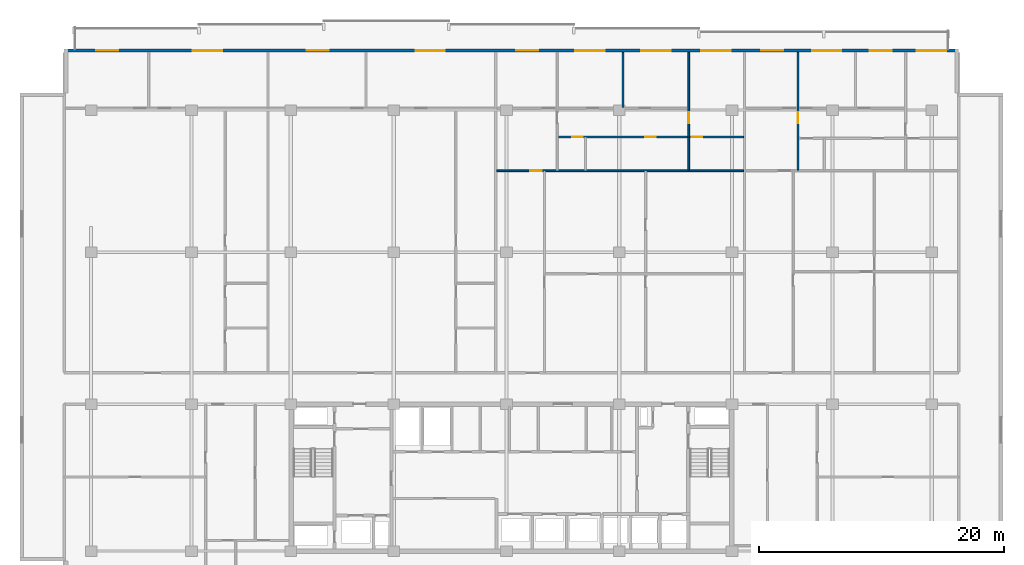
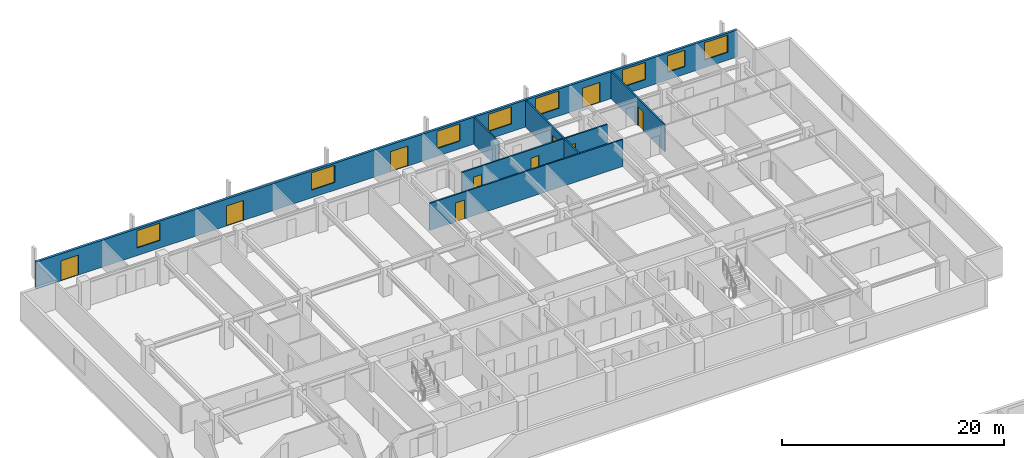
# One storey, part 15 of 22: 10 doors, 8 windows, 7 walls, 18 openings.
"""IFC4 building model written with IfcOpenShell, lengths in metres."""

import ifcopenshell
import ifcopenshell.guid

model = None  # the IFC model being written
_history = None  # IfcOwnerHistory: only IFC2X3 demands one
_inside = {}  # id of a spatial element -> (the spatial element, [elements in it])
_under = {}  # id of a project, library or spatial element -> (it, [spatial elements below it])
_declared = {}  # id of a project -> (the project, [libraries it declares])
_typed = {}  # id of a type object -> (the type object, [elements of that type])
_made_of = {}  # id of a material, layer set ... -> (it, [elements and type objects made of it])


def new_model(schema):
    """Start an empty IFC model of exactly this schema.

    Asked for "IFC4X3", IfcOpenShell would pick the latest addendum, in which some entities
    have other attributes; the version numbers below select the first issue.
    IFC2X3 requires an IfcOwnerHistory on every rooted entity: one is made here for all.
    """
    global model, _history
    if schema == "IFC4X3":
        model = ifcopenshell.file(schema_version=(4, 3, 0, 0))
    else:
        model = ifcopenshell.file(schema=schema)
    _inside.clear()
    _under.clear()
    _declared.clear()
    _typed.clear()
    _made_of.clear()
    _history = None
    if model.schema == "IFC2X3":
        org = make("IfcOrganization", Name="unknown")
        user = make(
            "IfcPersonAndOrganization",
            ThePerson=make("IfcPerson", FamilyName="unknown"),
            TheOrganization=org,
        )
        app = make(
            "IfcApplication",
            ApplicationDeveloper=org,
            Version="unknown",
            ApplicationFullName="unknown",
            ApplicationIdentifier="unknown",
        )
        _history = make(
            "IfcOwnerHistory",
            OwningUser=user,
            OwningApplication=app,
            ChangeAction="ADDED",
            CreationDate=0,
        )
    return model


def make(cls, **values):
    """One entity of the class cls with the attributes given. An attribute that is None is left unset."""
    return model.create_entity(
        cls, **{name: value for name, value in values.items() if value is not None}
    )


def rooted(cls, **values):
    """An entity with a GlobalId (a new one), such as an element, a storey or a relation."""
    return make(cls, GlobalId=ifcopenshell.guid.new(), OwnerHistory=_history, **values)


def si_unit(unit_type, name, prefix=None):
    """IfcSIUnit, for example si_unit("LENGTHUNIT", "METRE", prefix="MILLI")."""
    return make("IfcSIUnit", UnitType=unit_type, Prefix=prefix, Name=name)


def assignment(units):
    """IfcUnitAssignment: the units of a project."""
    return None if units is None else make("IfcUnitAssignment", Units=units)


def point(xyz):
    """IfcCartesianPoint."""
    return None if xyz is None else make("IfcCartesianPoint", Coordinates=xyz)


def direction(xyz):
    """IfcDirection."""
    return None if xyz is None else make("IfcDirection", DirectionRatios=xyz)


def frame(location, z_axis=None, x_axis=None):
    """IfcAxis2Placement3D, a coordinate frame: its origin and axes. An axis left out is left unset."""
    return make(
        "IfcAxis2Placement3D",
        Location=point(location),
        Axis=direction(z_axis),
        RefDirection=direction(x_axis),
    )


def frame_2d(location, x_axis=None):
    """IfcAxis2Placement2D, a coordinate frame in the plane: its origin and x axis."""
    return make(
        "IfcAxis2Placement2D", Location=point(location), RefDirection=direction(x_axis)
    )


def origin():
    """The frame at (0, 0, 0) with its axes left unset."""
    return frame((0.0, 0.0, 0.0))


def place(relative_to, where):
    """IfcLocalPlacement: puts the frame where relative to a parent placement (None: the world)."""
    return make(
        "IfcLocalPlacement", PlacementRelTo=relative_to, RelativePlacement=where
    )


def context(
    kind, dimensions, precision=None, world=None, true_north=None, identifier=None
):
    """IfcGeometricRepresentationContext, for example the 3D "Model" context."""
    return make(
        "IfcGeometricRepresentationContext",
        ContextIdentifier=identifier,
        ContextType=kind,
        CoordinateSpaceDimension=dimensions,
        Precision=precision,
        WorldCoordinateSystem=world,
        TrueNorth=true_north,
    )


def subcontext(parent, identifier, kind, view, scale=None):
    """IfcGeometricRepresentationSubContext, for example "Body" below "Model"."""
    return make(
        "IfcGeometricRepresentationSubContext",
        ContextIdentifier=identifier,
        ContextType=kind,
        ParentContext=parent,
        TargetScale=scale,
        TargetView=view,
    )


def project(units=None, contexts=None):
    """IfcProject with its units and contexts."""
    return rooted(
        "IfcProject",
        Name="project",
        RepresentationContexts=contexts,
        UnitsInContext=assignment(units),
    )


def spatial(cls, under=None, at=None, **own):
    """A site, building, storey or space (cls), placed at a placement, below another one or the project."""
    s = rooted(cls, ObjectPlacement=at, **own)
    if under is not None:
        _under.setdefault(under.id(), (under, []))[1].append(s)
    return s


def profile(cls, at=None, kind="AREA", **sizes):
    """A parametric profile (cls). Its sizes go by their IFC names, for example OverallWidth=200.0."""
    return make(cls, ProfileType=kind, Position=at, **sizes)


def rectangle(**sizes):
    """IfcRectangleProfileDef."""
    return profile("IfcRectangleProfileDef", **sizes)


def extrude(swept, where, along, depth):
    """IfcExtrudedAreaSolid: the profile swept, set in the frame where, extruded along a direction by depth."""
    return make(
        "IfcExtrudedAreaSolid",
        SweptArea=swept,
        Position=where,
        ExtrudedDirection=direction(along),
        Depth=depth,
    )


def shape(context_of_items, identifier, shape_type, items):
    """IfcShapeRepresentation: the items that make up one representation, for example the "Body"."""
    return make(
        "IfcShapeRepresentation",
        ContextOfItems=context_of_items,
        RepresentationIdentifier=identifier,
        RepresentationType=shape_type,
        Items=items,
    )


def material(Name=None, Category=None):
    """IfcMaterial."""
    return make("IfcMaterial", Name=Name, Category=Category)


def layer(
    of_material, thickness, ventilated=None, Name=None, Category=None, Priority=None
):
    """IfcMaterialLayer: one layer of a wall or slab, of a material (None: an air gap)."""
    return make(
        "IfcMaterialLayer",
        Material=of_material,
        LayerThickness=thickness,
        IsVentilated=ventilated,
        Name=Name,
        Category=Category,
        Priority=Priority,
    )


def layer_set(layers, Name=None):
    """IfcMaterialLayerSet."""
    return make("IfcMaterialLayerSet", MaterialLayers=layers, LayerSetName=Name)


def made_of(thing, what):
    """Note that an element or type object is made of a material, layer set ...; save() writes the relation."""
    if what is not None:
        _made_of.setdefault(what.id(), (what, []))[1].append(thing)
    return thing


def type_object(cls, material=None, **own):
    """A type object (cls), such as IfcWallType, which elements share."""
    return made_of(rooted(cls, **own), material)


def element(
    cls,
    number,
    at=None,
    inside=None,
    cuts=None,
    type_object=None,
    material=None,
    context=None,
    identifier="Body",
    shape_type=None,
    held_by="IfcProductDefinitionShape",
    body=None,
    shapes=None,
    **own,
):
    """One element of the class cls, such as IfcWall. Its Tag is "e" and its number.

    at: its placement. inside: the storey or other place that contains it. cuts: it is an
    opening in that element (IfcRelVoidsElement). A single representation is given by context,
    identifier, shape_type and body (its items); several are given by shapes. held_by: the class
    of the entity that holds the representations. save() writes the other relations.
    """
    e = rooted(cls, Tag="e%d" % number, ObjectPlacement=at, **own)
    if body is not None:
        shapes = [shape(context, identifier, shape_type, body)]
    if shapes is not None:
        e.Representation = make(held_by, Representations=shapes)
    if inside is not None:
        _inside.setdefault(inside.id(), (inside, []))[1].append(e)
    if cuts is not None:
        rooted(
            "IfcRelVoidsElement", RelatingBuildingElement=cuts, RelatedOpeningElement=e
        )
    if type_object is not None:
        _typed.setdefault(type_object.id(), (type_object, []))[1].append(e)
    return made_of(e, material)


def fill(opening, filler):
    """IfcRelFillsElement: the door or window that sits in an opening."""
    return rooted(
        "IfcRelFillsElement",
        RelatingOpeningElement=opening,
        RelatedBuildingElement=filler,
    )


def aggregate(whole, parts):
    """IfcRelAggregates: a whole, such as a stair, and the parts it consists of."""
    return rooted("IfcRelAggregates", RelatingObject=whole, RelatedObjects=parts)


def save(model, path):
    """Write the relations noted so far, then the file.

    IfcRelAggregates (storeys below a building ...), IfcRelContainedInSpatialStructure (elements
    in a storey), IfcRelDefinesByType, IfcRelAssociatesMaterial and IfcRelDeclares: one each for
    every whole, place, type object, material and project.
    """
    for whole, parts in _under.values():
        aggregate(whole, parts)
    for where, things in _inside.values():
        rooted(
            "IfcRelContainedInSpatialStructure",
            RelatedElements=things,
            RelatingStructure=where,
        )
    for kind, things in _typed.values():
        rooted("IfcRelDefinesByType", RelatedObjects=things, RelatingType=kind)
    for what, things in _made_of.values():
        rooted("IfcRelAssociatesMaterial", RelatedObjects=things, RelatingMaterial=what)
    for by, libraries in _declared.values():
        rooted("IfcRelDeclares", RelatingContext=by, RelatedDefinitions=libraries)
    model.write(path)


model = new_model("IFC4")

# Units and contexts
model_context = context("Model", 3, precision=1e-05, world=origin(), true_north=direction((0.0, 1.0)))
body_context = subcontext(model_context, "Body", "Model", "MODEL_VIEW")
ifc_project = project(units=[si_unit("LENGTHUNIT", "METRE"), si_unit("AREAUNIT", "SQUARE_METRE"), si_unit("VOLUMEUNIT", "CUBIC_METRE"), si_unit("PLANEANGLEUNIT", "RADIAN"), si_unit("MASSUNIT", "GRAM", prefix="KILO")], contexts=[model_context])

# Site, building, storey
site_placement = place(None, origin())
site = spatial("IfcSite", under=ifc_project, at=site_placement, CompositionType="ELEMENT")
building_placement = place(site_placement, origin())
building = spatial("IfcBuilding", under=site, at=building_placement, Name="Korimba Cascade Residences", CompositionType="ELEMENT")
storey_placement = place(building_placement, frame((0.0, 0.0, 129.550048828125)))
storey = spatial("IfcBuildingStorey", under=building, at=storey_placement, Name="L37", CompositionType="ELEMENT", Elevation=129.550048828125)

# Wall, openings, doors, windows
ifc_material_1 = material(Name="Precast concrete C40/50", Category="concrete")
ifc_layer_1 = layer(ifc_material_1, 0.25)
ifc_layer_set_1 = layer_set([ifc_layer_1], Name="Precast concrete C40/50")
wall_type_1 = type_object("IfcWallType", Name="EW-LOG-250", PredefinedType="STANDARD", material=ifc_layer_set_1)
wall_1_placement = place(storey_placement, frame((130.60009765625, 96.050048828125, 0.0), z_axis=(0.0, 0.0, 1.0), x_axis=(-1.0, 0.0, 0.0)))
wall_1 = element("IfcWall", 1, at=wall_1_placement, inside=storey, type_object=wall_type_1, Name="L37 T1 Perimeter Stone Wall E06", PredefinedType="STANDARD", context=body_context, shape_type="SweptSolid", body=[
    extrude(rectangle(XDim=73.0, YDim=0.25, at=frame_2d((36.5, 0.0))), origin(), (0.0, 0.0, 1.0), 2.969970703125),
])
opening_1_placement = place(wall_1_placement, frame((68.5908203125, 0.0, 0.0)))
opening_1 = element("IfcOpeningElement", 2, at=opening_1_placement, cuts=wall_1, Name="Opening D-LG1", PredefinedType="OPENING", context=body_context, shape_type="SweptSolid", body=[
    extrude(rectangle(XDim=1.800048828125, YDim=2.199951171875, at=frame_2d((0.89990234375, 1.10009765625))), frame((0.0, 0.135009765625, 0.0), z_axis=(0.0, -1.0, 0.0), x_axis=(1.0, 0.0, 0.0)), (0.0, 0.0, 1.0), 0.27001953125),
])
opening_2_placement = place(wall_1_placement, frame((60.091796875, 0.0, 0.85009765625)))
opening_2 = element("IfcOpeningElement", 3, at=opening_2_placement, cuts=wall_1, Name="Opening W-01", PredefinedType="OPENING", context=body_context, shape_type="SweptSolid", body=[
    extrude(rectangle(XDim=2.39990234375, YDim=1.89990234375, at=frame_2d((1.199951171875, 0.949951171875))), frame((0.0, 0.135009765625, 0.0), z_axis=(0.0, -1.0, 0.0), x_axis=(1.0, 0.0, 0.0)), (0.0, 0.0, 1.0), 0.27001953125),
])
opening_3_placement = place(wall_1_placement, frame((51.405029296875, 0.0, 0.0)))
opening_3 = element("IfcOpeningElement", 4, at=opening_3_placement, cuts=wall_1, Name="Opening D-LG1", PredefinedType="OPENING", context=body_context, shape_type="SweptSolid", body=[
    extrude(rectangle(XDim=1.800048828125, YDim=2.199951171875, at=frame_2d((0.89990234375, 1.10009765625))), frame((0.0, 0.135009765625, 0.0), z_axis=(0.0, -1.0, 0.0), x_axis=(1.0, 0.0, 0.0)), (0.0, 0.0, 1.0), 0.27001953125),
])
opening_4_placement = place(wall_1_placement, frame((41.925048828125, 0.0, 0.85009765625)))
opening_4 = element("IfcOpeningElement", 5, at=opening_4_placement, cuts=wall_1, Name="Opening W-01", PredefinedType="OPENING", context=body_context, shape_type="SweptSolid", body=[
    extrude(rectangle(XDim=2.39990234375, YDim=1.89990234375, at=frame_2d((1.199951171875, 0.949951171875))), frame((0.0, 0.135009765625, 0.0), z_axis=(0.0, -1.0, 0.0), x_axis=(1.0, 0.0, 0.0)), (0.0, 0.0, 1.0), 0.27001953125),
])
opening_5_placement = place(wall_1_placement, frame((28.878173828125, 0.0, 0.85009765625)))
opening_5 = element("IfcOpeningElement", 6, at=opening_5_placement, cuts=wall_1, Name="Opening W-01", PredefinedType="OPENING", context=body_context, shape_type="SweptSolid", body=[
    extrude(rectangle(XDim=2.39990234375, YDim=1.89990234375, at=frame_2d((1.199951171875, 0.949951171875))), frame((0.0, 0.135009765625, 0.0), z_axis=(0.0, -1.0, 0.0), x_axis=(1.0, 0.0, 0.0)), (0.0, 0.0, 1.0), 0.27001953125),
])
opening_6_placement = place(wall_1_placement, frame((23.509521484375, 0.0, 0.85009765625)))
opening_6 = element("IfcOpeningElement", 7, at=opening_6_placement, cuts=wall_1, Name="Opening W-01", PredefinedType="OPENING", context=body_context, shape_type="SweptSolid", body=[
    extrude(rectangle(XDim=2.39990234375, YDim=1.89990234375, at=frame_2d((1.199951171875, 0.949951171875))), frame((0.0, 0.135009765625, 0.0), z_axis=(0.0, -1.0, 0.0), x_axis=(1.0, 0.0, 0.0)), (0.0, 0.0, 1.0), 0.27001953125),
])
opening_7_placement = place(wall_1_placement, frame((34.302490234375, 0.0, 0.0)))
opening_7 = element("IfcOpeningElement", 8, at=opening_7_placement, cuts=wall_1, Name="Opening D-LG1", PredefinedType="OPENING", context=body_context, shape_type="SweptSolid", body=[
    extrude(rectangle(XDim=1.800048828125, YDim=2.199951171875, at=frame_2d((0.89990234375, 1.10009765625))), frame((0.0, 0.135009765625, 0.0), z_axis=(0.0, -1.0, 0.0), x_axis=(1.0, 0.0, 0.0)), (0.0, 0.0, 1.0), 0.27001953125),
])
opening_8_placement = place(wall_1_placement, frame((18.610107421875, 0.0, 0.85009765625)))
opening_8 = element("IfcOpeningElement", 9, at=opening_8_placement, cuts=wall_1, Name="Opening W-01", PredefinedType="OPENING", context=body_context, shape_type="SweptSolid", body=[
    extrude(rectangle(XDim=2.39990234375, YDim=1.89990234375, at=frame_2d((1.199951171875, 0.949951171875))), frame((0.0, 0.135009765625, 0.0), z_axis=(0.0, -1.0, 0.0), x_axis=(1.0, 0.0, 0.0)), (0.0, 0.0, 1.0), 0.27001953125),
])
opening_9_placement = place(wall_1_placement, frame((9.5625, 0.0, 0.85009765625)))
opening_9 = element("IfcOpeningElement", 10, at=opening_9_placement, cuts=wall_1, Name="Opening W-01", PredefinedType="OPENING", context=body_context, shape_type="SweptSolid", body=[
    extrude(rectangle(XDim=2.39990234375, YDim=1.89990234375, at=frame_2d((1.199951171875, 0.949951171875))), frame((0.0, 0.135009765625, 0.0), z_axis=(0.0, -1.0, 0.0), x_axis=(1.0, 0.0, 0.0)), (0.0, 0.0, 1.0), 0.27001953125),
])
opening_10_placement = place(wall_1_placement, frame((5.47509765625, 0.0, 0.85009765625)))
opening_10 = element("IfcOpeningElement", 11, at=opening_10_placement, cuts=wall_1, Name="Opening W-02", PredefinedType="OPENING", context=body_context, shape_type="SweptSolid", body=[
    extrude(rectangle(XDim=1.800048828125, YDim=1.800048828125, at=frame_2d((0.89990234375, 0.89990234375))), frame((0.0, 0.135009765625, 0.0), z_axis=(0.0, -1.0, 0.0), x_axis=(1.0, 0.0, 0.0)), (0.0, 0.0, 1.0), 0.27001953125),
])
opening_11_placement = place(wall_1_placement, frame((14.330078125, 0.0, 0.0)))
opening_11 = element("IfcOpeningElement", 12, at=opening_11_placement, cuts=wall_1, Name="Opening D-LG1", PredefinedType="OPENING", context=body_context, shape_type="SweptSolid", body=[
    extrude(rectangle(XDim=1.800048828125, YDim=2.199951171875, at=frame_2d((0.89990234375, 1.10009765625))), frame((0.0, 0.135009765625, 0.0), z_axis=(0.0, -1.0, 0.0), x_axis=(1.0, 0.0, 0.0)), (0.0, 0.0, 1.0), 0.27001953125),
])
opening_12_placement = place(wall_1_placement, frame((1.02490234375, 0.0, 0.85009765625)))
opening_12 = element("IfcOpeningElement", 13, at=opening_12_placement, cuts=wall_1, Name="Opening W-01", PredefinedType="OPENING", context=body_context, shape_type="SweptSolid", body=[
    extrude(rectangle(XDim=2.39990234375, YDim=1.89990234375, at=frame_2d((1.199951171875, 0.949951171875))), frame((0.0, 0.135009765625, 0.0), z_axis=(0.0, -1.0, 0.0), x_axis=(1.0, 0.0, 0.0)), (0.0, 0.0, 1.0), 0.27001953125),
])
ifc_material_2 = material(Name="Glazed Aluminium Loggia Sliding Door", Category="aluminium")
door_type_1 = type_object("IfcDoorType", Name="DR-EXT-LOG", OperationType="NOTDEFINED", PredefinedType="DOOR", material=ifc_material_2)
door_1_placement = place(opening_1_placement, origin())
door_1 = element("IfcDoor", 14, at=door_1_placement, inside=storey, type_object=door_type_1, Name="L37 T1 Loggia Sliding Door 3", OperationType="SLIDING_TO_LEFT", OverallHeight=2.199951171875, OverallWidth=1.800048828125, PredefinedType="DOOR", context=body_context, shape_type="SweptSolid", body=[
    extrude(rectangle(XDim=1.800048828125, YDim=2.199951171875, at=frame_2d((0.89990234375, 1.10009765625))), frame((0.0, 0.02490234375, 0.0), z_axis=(0.0, -1.0, 0.0), x_axis=(1.0, 0.0, 0.0)), (0.0, 0.0, 1.0), 0.050048828125),
])
fill(opening_1, door_1)
door_2_placement = place(opening_3_placement, origin())
door_2 = element("IfcDoor", 15, at=door_2_placement, inside=storey, type_object=door_type_1, Name="L37 T1 Loggia Sliding Door 5", OperationType="SLIDING_TO_LEFT", OverallHeight=2.199951171875, OverallWidth=1.800048828125, PredefinedType="DOOR", context=body_context, shape_type="SweptSolid", body=[
    extrude(rectangle(XDim=1.800048828125, YDim=2.199951171875, at=frame_2d((0.89990234375, 1.10009765625))), frame((0.0, 0.02490234375, 0.0), z_axis=(0.0, -1.0, 0.0), x_axis=(1.0, 0.0, 0.0)), (0.0, 0.0, 1.0), 0.050048828125),
])
fill(opening_3, door_2)
door_3_placement = place(opening_7_placement, origin())
door_3 = element("IfcDoor", 16, at=door_3_placement, inside=storey, type_object=door_type_1, Name="L37 T1 Loggia Sliding Door 9", OperationType="SLIDING_TO_LEFT", OverallHeight=2.199951171875, OverallWidth=1.800048828125, PredefinedType="DOOR", context=body_context, shape_type="SweptSolid", body=[
    extrude(rectangle(XDim=1.800048828125, YDim=2.199951171875, at=frame_2d((0.89990234375, 1.10009765625))), frame((0.0, 0.02490234375, 0.0), z_axis=(0.0, -1.0, 0.0), x_axis=(1.0, 0.0, 0.0)), (0.0, 0.0, 1.0), 0.050048828125),
])
fill(opening_7, door_3)
door_4_placement = place(opening_11_placement, origin())
door_4 = element("IfcDoor", 17, at=door_4_placement, inside=storey, type_object=door_type_1, Name="L37 T1 Loggia Sliding Door 13", OperationType="SLIDING_TO_LEFT", OverallHeight=2.199951171875, OverallWidth=1.800048828125, PredefinedType="DOOR", context=body_context, shape_type="SweptSolid", body=[
    extrude(rectangle(XDim=1.800048828125, YDim=2.199951171875, at=frame_2d((0.89990234375, 1.10009765625))), frame((0.0, 0.02490234375, 0.0), z_axis=(0.0, -1.0, 0.0), x_axis=(1.0, 0.0, 0.0)), (0.0, 0.0, 1.0), 0.050048828125),
])
fill(opening_11, door_4)
ifc_material_3 = material(Name="Double-Glazed Aluminium Window", Category="aluminium")
window_type_1 = type_object("IfcWindowType", Name="WIN-BED-1800", PartitioningType="SINGLE_PANEL", PredefinedType="WINDOW", material=ifc_material_3)
window_1_placement = place(opening_10_placement, origin())
window_1 = element("IfcWindow", 18, at=window_1_placement, inside=storey, type_object=window_type_1, Name="L37 T1 North Facade Window 12", OverallHeight=1.800048828125, OverallWidth=1.800048828125, PartitioningType="SINGLE_PANEL", PredefinedType="WINDOW", context=body_context, shape_type="SweptSolid", body=[
    extrude(rectangle(XDim=1.800048828125, YDim=1.800048828125, at=frame_2d((0.89990234375, 0.89990234375))), frame((0.0, 0.030029296875, 0.0), z_axis=(0.0, -1.0, 0.0), x_axis=(1.0, 0.0, 0.0)), (0.0, 0.0, 1.0), 0.06005859375),
])
fill(opening_10, window_1)
window_type_2 = type_object("IfcWindowType", Name="WIN-RES-2400", PartitioningType="DOUBLE_PANEL_VERTICAL", PredefinedType="WINDOW", material=ifc_material_3)
window_2_placement = place(opening_2_placement, origin())
window_2 = element("IfcWindow", 19, at=window_2_placement, inside=storey, type_object=window_type_2, Name="L37 T1 North Facade Window 4", OverallHeight=1.89990234375, OverallWidth=2.39990234375, PartitioningType="DOUBLE_PANEL_VERTICAL", PredefinedType="WINDOW", context=body_context, shape_type="SweptSolid", body=[
    extrude(rectangle(XDim=2.39990234375, YDim=1.89990234375, at=frame_2d((1.199951171875, 0.949951171875))), frame((0.0, 0.030029296875, 0.0), z_axis=(0.0, -1.0, 0.0), x_axis=(1.0, 0.0, 0.0)), (0.0, 0.0, 1.0), 0.06005859375),
])
fill(opening_2, window_2)
window_3_placement = place(opening_4_placement, origin())
window_3 = element("IfcWindow", 20, at=window_3_placement, inside=storey, type_object=window_type_2, Name="L37 T1 North Facade Window 6", OverallHeight=1.89990234375, OverallWidth=2.39990234375, PartitioningType="DOUBLE_PANEL_VERTICAL", PredefinedType="WINDOW", context=body_context, shape_type="SweptSolid", body=[
    extrude(rectangle(XDim=2.39990234375, YDim=1.89990234375, at=frame_2d((1.199951171875, 0.949951171875))), frame((0.0, 0.030029296875, 0.0), z_axis=(0.0, -1.0, 0.0), x_axis=(1.0, 0.0, 0.0)), (0.0, 0.0, 1.0), 0.06005859375),
])
fill(opening_4, window_3)
window_4_placement = place(opening_5_placement, origin())
window_4 = element("IfcWindow", 21, at=window_4_placement, inside=storey, type_object=window_type_2, Name="L37 T1 North Facade Window 7", OverallHeight=1.89990234375, OverallWidth=2.39990234375, PartitioningType="DOUBLE_PANEL_VERTICAL", PredefinedType="WINDOW", context=body_context, shape_type="SweptSolid", body=[
    extrude(rectangle(XDim=2.39990234375, YDim=1.89990234375, at=frame_2d((1.199951171875, 0.949951171875))), frame((0.0, 0.030029296875, 0.0), z_axis=(0.0, -1.0, 0.0), x_axis=(1.0, 0.0, 0.0)), (0.0, 0.0, 1.0), 0.06005859375),
])
fill(opening_5, window_4)
window_5_placement = place(opening_6_placement, origin())
window_5 = element("IfcWindow", 22, at=window_5_placement, inside=storey, type_object=window_type_2, Name="L37 T1 North Facade Window 8", OverallHeight=1.89990234375, OverallWidth=2.39990234375, PartitioningType="DOUBLE_PANEL_VERTICAL", PredefinedType="WINDOW", context=body_context, shape_type="SweptSolid", body=[
    extrude(rectangle(XDim=2.39990234375, YDim=1.89990234375, at=frame_2d((1.199951171875, 0.949951171875))), frame((0.0, 0.030029296875, 0.0), z_axis=(0.0, -1.0, 0.0), x_axis=(1.0, 0.0, 0.0)), (0.0, 0.0, 1.0), 0.06005859375),
])
fill(opening_6, window_5)
window_6_placement = place(opening_8_placement, origin())
window_6 = element("IfcWindow", 23, at=window_6_placement, inside=storey, type_object=window_type_2, Name="L37 T1 North Facade Window 10", OverallHeight=1.89990234375, OverallWidth=2.39990234375, PartitioningType="DOUBLE_PANEL_VERTICAL", PredefinedType="WINDOW", context=body_context, shape_type="SweptSolid", body=[
    extrude(rectangle(XDim=2.39990234375, YDim=1.89990234375, at=frame_2d((1.199951171875, 0.949951171875))), frame((0.0, 0.030029296875, 0.0), z_axis=(0.0, -1.0, 0.0), x_axis=(1.0, 0.0, 0.0)), (0.0, 0.0, 1.0), 0.06005859375),
])
fill(opening_8, window_6)
window_7_placement = place(opening_9_placement, origin())
window_7 = element("IfcWindow", 24, at=window_7_placement, inside=storey, type_object=window_type_2, Name="L37 T1 North Facade Window 11", OverallHeight=1.89990234375, OverallWidth=2.39990234375, PartitioningType="DOUBLE_PANEL_VERTICAL", PredefinedType="WINDOW", context=body_context, shape_type="SweptSolid", body=[
    extrude(rectangle(XDim=2.39990234375, YDim=1.89990234375, at=frame_2d((1.199951171875, 0.949951171875))), frame((0.0, 0.030029296875, 0.0), z_axis=(0.0, -1.0, 0.0), x_axis=(1.0, 0.0, 0.0)), (0.0, 0.0, 1.0), 0.06005859375),
])
fill(opening_9, window_7)
window_8_placement = place(opening_12_placement, origin())
window_8 = element("IfcWindow", 25, at=window_8_placement, inside=storey, type_object=window_type_2, Name="L37 T1 North Facade Window 14", OverallHeight=1.89990234375, OverallWidth=2.39990234375, PartitioningType="DOUBLE_PANEL_VERTICAL", PredefinedType="WINDOW", context=body_context, shape_type="SweptSolid", body=[
    extrude(rectangle(XDim=2.39990234375, YDim=1.89990234375, at=frame_2d((1.199951171875, 0.949951171875))), frame((0.0, 0.030029296875, 0.0), z_axis=(0.0, -1.0, 0.0), x_axis=(1.0, 0.0, 0.0)), (0.0, 0.0, 1.0), 0.06005859375),
])
fill(opening_12, window_8)

# Walls
ifc_material_4 = material(Name="Insulated Acoustic Stud Partition", Category="gypsum")
ifc_layer_2 = layer(ifc_material_4, 0.14990234375)
ifc_layer_set_2 = layer_set([ifc_layer_2], Name="Insulated Acoustic Stud Partition")
wall_type_2 = type_object("IfcWallType", Name="WAL-PART-150", PredefinedType="PARTITIONING", material=ifc_layer_set_2)
wall_2_placement = place(storey_placement, frame((103.206298828125, 91.429931640625, 0.0), z_axis=(0.0, 0.0, 1.0), x_axis=(0.0, 1.0, 0.0)))
element("IfcWall", 26, at=wall_2_placement, inside=storey, type_object=wall_type_2, Name="L37 Partition Wall WAL-L37-T1-U03-VB3", PredefinedType="PARTITIONING", context=body_context, shape_type="SweptSolid", body=[
    extrude(rectangle(XDim=4.469970703125, YDim=0.14990234375, at=frame_2d((2.23486328125, 0.0))), origin(), (0.0, 0.0, 1.0), 2.969970703125),
])
wall_3_placement = place(storey_placement, frame((108.574951171875, 86.2900390625, 0.0), z_axis=(0.0, 0.0, 1.0), x_axis=(0.0, 1.0, 0.0)))
element("IfcWall", 27, at=wall_3_placement, inside=storey, type_object=wall_type_2, Name="L37 Partition Wall WAL-L37-T1-U03-VBATH", PredefinedType="PARTITIONING", context=body_context, shape_type="SweptSolid", body=[
    extrude(rectangle(XDim=2.68994140625, YDim=0.14990234375, at=frame_2d((1.344970703125, 0.0))), origin(), (0.0, 0.0, 1.0), 2.969970703125),
])

# Wall, opening, door
wall_4_placement = place(storey_placement, frame((108.574951171875, 89.02001953125, 0.0), z_axis=(0.0, 0.0, 1.0), x_axis=(0.0, 1.0, 0.0)))
wall_4 = element("IfcWall", 28, at=wall_4_placement, inside=storey, type_object=wall_type_2, Name="L37 Partition Wall WAL-L37-T1-U03-V2FULL", PredefinedType="PARTITIONING", context=body_context, shape_type="SweptSolid", body=[
    extrude(rectangle(XDim=6.8798828125, YDim=0.14990234375, at=frame_2d((3.43994140625, 0.0))), origin(), (0.0, 0.0, 1.0), 2.969970703125),
])
opening_13_placement = place(wall_4_placement, frame((1.090087890625, 0.0, 0.0)))
opening_13 = element("IfcOpeningElement", 29, at=opening_13_placement, cuts=wall_4, Name="Opening D-IN1", PredefinedType="OPENING", context=body_context, shape_type="SweptSolid", body=[
    extrude(rectangle(XDim=0.919921875, YDim=2.080078125, at=frame_2d((0.4599609375, 1.0400390625))), frame((0.0, 0.0849609375, 0.0), z_axis=(0.0, -1.0, 0.0), x_axis=(1.0, 0.0, 0.0)), (0.0, 0.0, 1.0), 0.169921875),
])
ifc_material_5 = material(Name="Acoustic Timber Living Door", Category="wood")
door_type_2 = type_object("IfcDoorType", Name="DR-INT-920", OperationType="NOTDEFINED", PredefinedType="DOOR", material=ifc_material_5)
door_5_placement = place(opening_13_placement, origin())
door_5 = element("IfcDoor", 30, at=door_5_placement, inside=storey, type_object=door_type_2, Name="L37-T1-U03 Master Bedroom Door", OperationType="SINGLE_SWING_LEFT", OverallHeight=2.080078125, OverallWidth=0.919921875, PredefinedType="DOOR", context=body_context, shape_type="SweptSolid", body=[
    extrude(rectangle(XDim=0.919921875, YDim=2.080078125, at=frame_2d((0.4599609375, 1.0400390625))), frame((0.0, 0.02490234375, 0.0), z_axis=(0.0, -1.0, 0.0), x_axis=(1.0, 0.0, 0.0)), (0.0, 0.0, 1.0), 0.050048828125),
])
fill(opening_13, door_5)

# Wall, openings, doors
wall_5_placement = place(storey_placement, frame((97.87744140625, 89.0, 0.0), z_axis=(0.0, 0.0, 1.0), x_axis=(1.0, 0.0, 0.0)))
wall_5 = element("IfcWall", 31, at=wall_5_placement, inside=storey, type_object=wall_type_2, Name="L37 Partition Wall WAL-L37-T1-U03-HWALL", PredefinedType="PARTITIONING", context=body_context, shape_type="SweptSolid", body=[
    extrude(rectangle(XDim=15.16748046875, YDim=0.14990234375, at=frame_2d((7.583740234375, 0.0))), origin(), (0.0, 0.0, 1.0), 2.969970703125),
])
opening_14_placement = place(wall_5_placement, frame((1.19091796875, 0.0, 0.0)))
opening_14 = element("IfcOpeningElement", 32, at=opening_14_placement, cuts=wall_5, Name="Opening D-BT1", PredefinedType="OPENING", context=body_context, shape_type="SweptSolid", body=[
    extrude(rectangle(XDim=0.840087890625, YDim=2.0400390625, at=frame_2d((0.419921875, 1.02001953125))), frame((0.0, 0.0849609375, 0.0), z_axis=(0.0, -1.0, 0.0), x_axis=(1.0, 0.0, 0.0)), (0.0, 0.0, 1.0), 0.169921875),
])
opening_15_placement = place(wall_5_placement, frame((7.163818359375, 0.0, 0.0)))
opening_15 = element("IfcOpeningElement", 33, at=opening_15_placement, cuts=wall_5, Name="Opening D-BT1", PredefinedType="OPENING", context=body_context, shape_type="SweptSolid", body=[
    extrude(rectangle(XDim=0.840087890625, YDim=2.0400390625, at=frame_2d((0.419921875, 1.02001953125))), frame((0.0, 0.0849609375, 0.0), z_axis=(0.0, -1.0, 0.0), x_axis=(1.0, 0.0, 0.0)), (0.0, 0.0, 1.0), 0.169921875),
])
opening_16_placement = place(wall_5_placement, frame((10.947509765625, 0.0, 0.0)))
opening_16 = element("IfcOpeningElement", 34, at=opening_16_placement, cuts=wall_5, Name="Opening D-BT1", PredefinedType="OPENING", context=body_context, shape_type="SweptSolid", body=[
    extrude(rectangle(XDim=0.840087890625, YDim=2.0400390625, at=frame_2d((0.419921875, 1.02001953125))), frame((0.0, 0.0849609375, 0.0), z_axis=(0.0, -1.0, 0.0), x_axis=(1.0, 0.0, 0.0)), (0.0, 0.0, 1.0), 0.169921875),
])
ifc_material_6 = material(Name="Moisture-Resistant Bathroom Timber Door", Category="wood")
door_type_3 = type_object("IfcDoorType", Name="DR-INT-850", OperationType="NOTDEFINED", PredefinedType="DOOR", material=ifc_material_6)
door_6_placement = place(opening_14_placement, origin())
door_6 = element("IfcDoor", 35, at=door_6_placement, inside=storey, type_object=door_type_3, Name="L37-T1-U03 Family Bathroom Door", OperationType="SINGLE_SWING_RIGHT", OverallHeight=2.0400390625, OverallWidth=0.840087890625, PredefinedType="DOOR", context=body_context, shape_type="SweptSolid", body=[
    extrude(rectangle(XDim=0.840087890625, YDim=2.0400390625, at=frame_2d((0.419921875, 1.02001953125))), frame((0.0, 0.02490234375, 0.0), z_axis=(0.0, -1.0, 0.0), x_axis=(1.0, 0.0, 0.0)), (0.0, 0.0, 1.0), 0.050048828125),
])
fill(opening_14, door_6)
door_7_placement = place(opening_15_placement, origin())
door_7 = element("IfcDoor", 36, at=door_7_placement, inside=storey, type_object=door_type_3, Name="L37-T1-U03 Dressing Room Door", OperationType="SINGLE_SWING_LEFT", OverallHeight=2.0400390625, OverallWidth=0.840087890625, PredefinedType="DOOR", context=body_context, shape_type="SweptSolid", body=[
    extrude(rectangle(XDim=0.840087890625, YDim=2.0400390625, at=frame_2d((0.419921875, 1.02001953125))), frame((0.0, 0.02490234375, 0.0), z_axis=(0.0, -1.0, 0.0), x_axis=(1.0, 0.0, 0.0)), (0.0, 0.0, 1.0), 0.050048828125),
])
fill(opening_15, door_7)
door_8_placement = place(opening_16_placement, origin())
door_8 = element("IfcDoor", 37, at=door_8_placement, inside=storey, type_object=door_type_3, Name="L37-T1-U03 En-Suite Door", OperationType="SINGLE_SWING_RIGHT", OverallHeight=2.0400390625, OverallWidth=0.840087890625, PredefinedType="DOOR", context=body_context, shape_type="SweptSolid", body=[
    extrude(rectangle(XDim=0.840087890625, YDim=2.0400390625, at=frame_2d((0.419921875, 1.02001953125))), frame((0.0, 0.02490234375, 0.0), z_axis=(0.0, -1.0, 0.0), x_axis=(1.0, 0.0, 0.0)), (0.0, 0.0, 1.0), 0.050048828125),
])
fill(opening_16, door_8)

# Wall, opening, door
wall_6_placement = place(storey_placement, frame((92.91748046875, 86.25, 0.0), z_axis=(0.0, 0.0, 1.0), x_axis=(1.0, 0.0, 0.0)))
wall_6 = element("IfcWall", 38, at=wall_6_placement, inside=storey, type_object=wall_type_2, Name="L37 Partition Wall WAL-L37-T1-U03-MW", PredefinedType="PARTITIONING", context=body_context, shape_type="SweptSolid", body=[
    extrude(rectangle(XDim=20.12744140625, YDim=0.14990234375, at=frame_2d((10.063720703125, 0.0))), origin(), (0.0, 0.0, 1.0), 2.969970703125),
])
opening_17_placement = place(wall_6_placement, frame((2.719970703125, 0.0, 0.0)))
opening_17 = element("IfcOpeningElement", 39, at=opening_17_placement, cuts=wall_6, Name="Opening D-IN1", PredefinedType="OPENING", context=body_context, shape_type="SweptSolid", body=[
    extrude(rectangle(XDim=0.919921875, YDim=2.080078125, at=frame_2d((0.4599609375, 1.0400390625))), frame((0.0, 0.0849609375, 0.0), z_axis=(0.0, -1.0, 0.0), x_axis=(1.0, 0.0, 0.0)), (0.0, 0.0, 1.0), 0.169921875),
])
door_9_placement = place(opening_17_placement, origin())
door_9 = element("IfcDoor", 40, at=door_9_placement, inside=storey, type_object=door_type_2, Name="L37-T1-U03 Kitchen Door", OperationType="SINGLE_SWING_LEFT", OverallHeight=2.080078125, OverallWidth=0.919921875, PredefinedType="DOOR", context=body_context, shape_type="SweptSolid", body=[
    extrude(rectangle(XDim=0.919921875, YDim=2.080078125, at=frame_2d((0.4599609375, 1.0400390625))), frame((0.0, 0.02490234375, 0.0), z_axis=(0.0, -1.0, 0.0), x_axis=(1.0, 0.0, 0.0)), (0.0, 0.0, 1.0), 0.050048828125),
])
fill(opening_17, door_9)

wall_7_placement = place(storey_placement, frame((117.4951171875, 86.2900390625, 0.0), z_axis=(0.0, 0.0, 1.0), x_axis=(0.0, 1.0, 0.0)))
wall_7 = element("IfcWall", 41, at=wall_7_placement, inside=storey, type_object=wall_type_2, Name="L37 Partition Wall WAL-L37-T1-U04-V1", PredefinedType="PARTITIONING", context=body_context, shape_type="SweptSolid", body=[
    extrude(rectangle(XDim=9.60986328125, YDim=0.14990234375, at=frame_2d((4.804931640625, 0.0))), origin(), (0.0, 0.0, 1.0), 2.969970703125),
])
opening_18_placement = place(wall_7_placement, frame((3.820068359375, 0.0, 0.0)))
opening_18 = element("IfcOpeningElement", 42, at=opening_18_placement, cuts=wall_7, Name="Opening D-IN1", PredefinedType="OPENING", context=body_context, shape_type="SweptSolid", body=[
    extrude(rectangle(XDim=0.919921875, YDim=2.080078125, at=frame_2d((0.4599609375, 1.0400390625))), frame((0.0, 0.0849609375, 0.0), z_axis=(0.0, -1.0, 0.0), x_axis=(1.0, 0.0, 0.0)), (0.0, 0.0, 1.0), 0.169921875),
])
door_10_placement = place(opening_18_placement, origin())
door_10 = element("IfcDoor", 43, at=door_10_placement, inside=storey, type_object=door_type_2, Name="L37-T1-U04 Hallway Door", OperationType="SINGLE_SWING_LEFT", OverallHeight=2.080078125, OverallWidth=0.919921875, PredefinedType="DOOR", context=body_context, shape_type="SweptSolid", body=[
    extrude(rectangle(XDim=0.919921875, YDim=2.080078125, at=frame_2d((0.4599609375, 1.0400390625))), frame((0.0, 0.02490234375, 0.0), z_axis=(0.0, -1.0, 0.0), x_axis=(1.0, 0.0, 0.0)), (0.0, 0.0, 1.0), 0.050048828125),
])
fill(opening_18, door_10)

save(model, "model.ifc")
